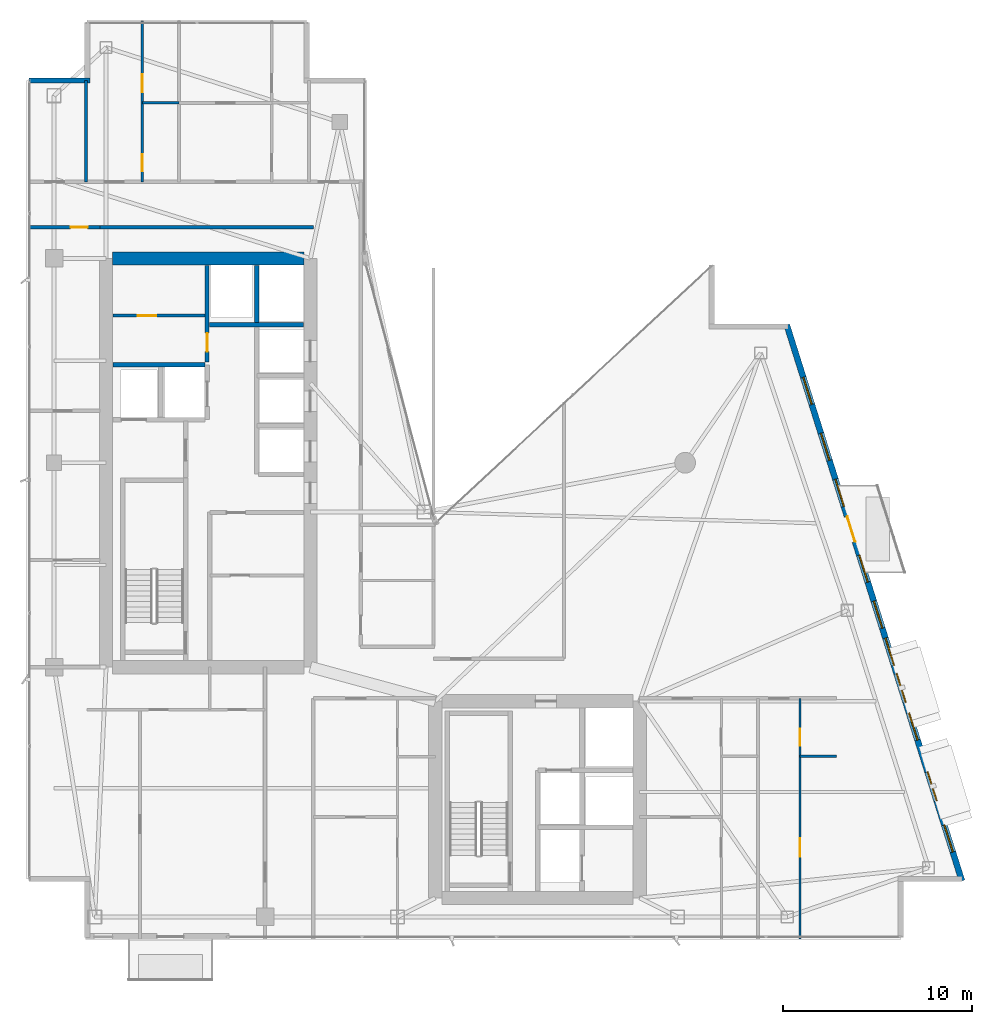
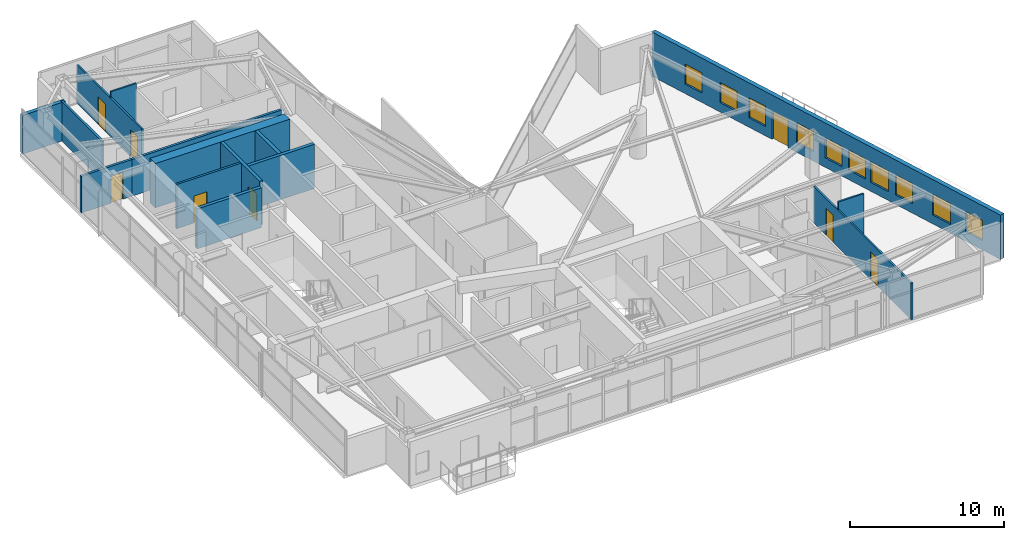
# One storey, part 24 of 27: 15 walls, 10 windows, 8 doors, 18 openings.
"""IFC4 building model written with IfcOpenShell, lengths in metres."""

from ifc_helpers import new_model, si_unit, direction, frame, frame_2d, origin, place, context, subcontext, project, spatial, rectangle, extrude, material, layer, layer_set, type_object, element, fill, save


model = new_model("IFC4")

# Units and contexts
model_context = context("Model", 3, precision=1e-05, world=origin(), true_north=direction((0.0, 1.0)))
body_context = subcontext(model_context, "Body", "Model", "MODEL_VIEW")
ifc_project = project(units=[si_unit("LENGTHUNIT", "METRE"), si_unit("AREAUNIT", "SQUARE_METRE"), si_unit("VOLUMEUNIT", "CUBIC_METRE"), si_unit("PLANEANGLEUNIT", "RADIAN"), si_unit("MASSUNIT", "GRAM", prefix="KILO")], contexts=[model_context])

# Site, building, storey
site_placement = place(None, origin())
site = spatial("IfcSite", under=ifc_project, at=site_placement, CompositionType="ELEMENT")
building_placement = place(site_placement, origin())
building = spatial("IfcBuilding", under=site, at=building_placement, Name="Calvorn Quay Hotel", CompositionType="ELEMENT")
storey_placement = place(building_placement, frame((0.0, 0.0, 230.699951171875)))
storey = spatial("IfcBuildingStorey", under=building, at=storey_placement, Name="L57", CompositionType="ELEMENT", Elevation=230.699951171875)

# Wall
ifc_material_1 = material(Name="Concrete C45", Category="concrete")
ifc_layer_1 = layer(ifc_material_1, 0.699951171875)
ifc_layer_set_1 = layer_set([ifc_layer_1], Name="WL-CORE-700")
wall_type_1 = type_object("IfcWallType", Name="WL-CORE-700", PredefinedType="SHEAR", material=ifc_layer_set_1)
wall_1_placement = place(storey_placement, frame((4.550048828125, 38.39990234375, 0.0), z_axis=(0.0, 0.0, 1.0), x_axis=(1.0, 0.0, 0.0)))
element("IfcWall", 1, at=wall_1_placement, inside=storey, type_object=wall_type_1, Name="West Core Shear Wall N (L57)", PredefinedType="SHEAR", context=body_context, shape_type="SweptSolid", body=[
    extrude(rectangle(XDim=10.099853515625, YDim=0.699951171875, at=frame_2d((5.0498046875, 0.0))), origin(), (0.0, 0.0, 1.0), 3.52001953125),
])

# Wall, opening, door
ifc_material_2 = material(Name="Acoustic Fireboard Steel-Stud Partition", Category="steel")
ifc_layer_2 = layer(ifc_material_2, 0.179931640625)
ifc_layer_set_2 = layer_set([ifc_layer_2], Name="WL-CORR-FIRE-180")
wall_type_2 = type_object("IfcWallType", Name="WL-CORR-FIRE-180", PredefinedType="PARTITIONING", material=ifc_layer_set_2)
wall_2_placement = place(storey_placement, frame((0.080078125, 40.050048828125, 0.0), z_axis=(0.0, 0.0, 1.0), x_axis=(1.0, 0.0, 0.0)))
wall_2 = element("IfcWall", 2, at=wall_2_placement, inside=storey, type_object=wall_type_2, Name="Partition Wall L57-WL-WBAY-N-DOOR", PredefinedType="PARTITIONING", context=body_context, shape_type="SweptSolid", body=[
    extrude(rectangle(XDim=3.7998046875, YDim=0.179931640625, at=frame_2d((1.89990234375, 0.0))), origin(), (0.0, 0.0, 1.0), 2.920166015625),
])
opening_1_placement = place(wall_2_placement, frame((2.25, 0.0, 0.0)))
opening_1 = element("IfcOpeningElement", 3, at=opening_1_placement, cuts=wall_2, Name="Opening D-L57-WBN", PredefinedType="OPENING", context=body_context, shape_type="SweptSolid", body=[
    extrude(rectangle(XDim=0.89990234375, YDim=2.14990234375, at=frame_2d((0.449951171875, 1.074951171875))), frame((0.0, 0.099853515625, 0.0), z_axis=(0.0, -1.0, 0.0), x_axis=(1.0, 0.0, 0.0)), (0.0, 0.0, 1.0), 0.199951171875),
])
ifc_material_3 = material(Name="Moisture-Sealed Timber En-Suite Door", Category="wood")
door_type_1 = type_object("IfcDoorType", Name="DR-ENSUITE-900", OperationType="NOTDEFINED", PredefinedType="DOOR", material=ifc_material_3)
door_1_placement = place(opening_1_placement, origin())
door_1 = element("IfcDoor", 4, at=door_1_placement, inside=storey, type_object=door_type_1, Name="West North Bay Door (L57)", OperationType="SINGLE_SWING_LEFT", OverallHeight=2.14990234375, OverallWidth=0.89990234375, PredefinedType="DOOR", context=body_context, shape_type="SweptSolid", body=[
    extrude(rectangle(XDim=0.89990234375, YDim=2.14990234375, at=frame_2d((0.449951171875, 1.074951171875))), frame((0.0, 0.02490234375, 0.0), z_axis=(0.0, -1.0, 0.0), x_axis=(1.0, 0.0, 0.0)), (0.0, 0.0, 1.0), 0.050048828125),
])
fill(opening_1, door_1)

# Walls
wall_3_placement = place(storey_placement, frame((3.830078125, 40.050048828125, 0.0), z_axis=(0.0, 0.0, 1.0), x_axis=(1.0, 0.0, 0.0)))
element("IfcWall", 5, at=wall_3_placement, inside=storey, type_object=wall_type_2, Name="Partition Wall L57-WL-W-SPUR-S", PredefinedType="PARTITIONING", context=body_context, shape_type="SweptSolid", body=[
    extrude(rectangle(XDim=11.31982421875, YDim=0.179931640625, at=frame_2d((5.659912109375, 0.0))), origin(), (0.0, 0.0, 1.0), 2.920166015625),
])
ifc_material_4 = material(Name="Moisture-Resistant Tile-Backed Partition")
ifc_layer_3 = layer(ifc_material_4, 0.125)
ifc_layer_set_3 = layer_set([ifc_layer_3], Name="WL-ENSUITE-125")
wall_type_3 = type_object("IfcWallType", Name="WL-ENSUITE-125", PredefinedType="PARTITIONING", material=ifc_layer_set_3)
wall_4_placement = place(storey_placement, frame((6.1201171875, 46.6201171875, 0.0), z_axis=(0.0, 0.0, 1.0), x_axis=(1.0, 0.0, 0.0)))
element("IfcWall", 6, at=wall_4_placement, inside=storey, type_object=wall_type_3, Name="Partition Wall L57-WL-U03-BDV", PredefinedType="PARTITIONING", context=body_context, shape_type="SweptSolid", body=[
    extrude(rectangle(XDim=1.929931640625, YDim=0.125, at=frame_2d((0.96484375, 0.0))), origin(), (0.0, 0.0, 1.0), 3.52001953125),
])

# Wall, openings, doors
wall_5_placement = place(storey_placement, frame((6.1201171875, 42.449951171875, 0.0), z_axis=(0.0, 0.0, 1.0), x_axis=(0.0, 1.0, 0.0)))
wall_5 = element("IfcWall", 7, at=wall_5_placement, inside=storey, type_object=wall_type_3, Name="Partition Wall L57-WL-U03-BV", PredefinedType="PARTITIONING", context=body_context, shape_type="SweptSolid", body=[
    extrude(rectangle(XDim=8.489990234375, YDim=0.125, at=frame_2d((4.2451171875, 0.0))), origin(), (0.0, 0.0, 1.0), 3.070068359375),
])
opening_2_placement = place(wall_5_placement, frame((0.550048828125, 0.0, 0.0)))
opening_2 = element("IfcOpeningElement", 8, at=opening_2_placement, cuts=wall_5, Name="Opening D-L57-E03", PredefinedType="OPENING", context=body_context, shape_type="SweptSolid", body=[
    extrude(rectangle(XDim=0.89990234375, YDim=2.14990234375, at=frame_2d((0.449951171875, 1.074951171875))), frame((0.0, 0.072509765625, 0.0), z_axis=(0.0, -1.0, 0.0), x_axis=(1.0, 0.0, 0.0)), (0.0, 0.0, 1.0), 0.14501953125),
])
opening_3_placement = place(wall_5_placement, frame((4.719970703125, 0.0, 0.0)))
opening_3 = element("IfcOpeningElement", 9, at=opening_3_placement, cuts=wall_5, Name="Opening D-L57-S03", PredefinedType="OPENING", context=body_context, shape_type="SweptSolid", body=[
    extrude(rectangle(XDim=0.9599609375, YDim=2.199951171875, at=frame_2d((0.47998046875, 1.10009765625))), frame((0.0, 0.072509765625, 0.0), z_axis=(0.0, -1.0, 0.0), x_axis=(1.0, 0.0, 0.0)), (0.0, 0.0, 1.0), 0.14501953125),
])
door_2_placement = place(opening_2_placement, origin())
door_2 = element("IfcDoor", 10, at=door_2_placement, inside=storey, type_object=door_type_1, Name="En-Suite Door 03", OperationType="SINGLE_SWING_LEFT", OverallHeight=2.14990234375, OverallWidth=0.89990234375, PredefinedType="DOOR", context=body_context, shape_type="SweptSolid", body=[
    extrude(rectangle(XDim=0.89990234375, YDim=2.14990234375, at=frame_2d((0.449951171875, 1.074951171875))), frame((0.0, 0.02490234375, 0.0), z_axis=(0.0, -1.0, 0.0), x_axis=(1.0, 0.0, 0.0)), (0.0, 0.0, 1.0), 0.050048828125),
])
fill(opening_2, door_2)
ifc_material_5 = material(Name="Solid Timber Internal Suite Door", Category="wood")
door_type_2 = type_object("IfcDoorType", Name="DR-SUITE-INT-960", OperationType="NOTDEFINED", PredefinedType="DOOR", material=ifc_material_5)
door_3_placement = place(opening_3_placement, origin())
door_3 = element("IfcDoor", 11, at=door_3_placement, inside=storey, type_object=door_type_2, Name="Spa Therapy Room Door 03", OperationType="SINGLE_SWING_RIGHT", OverallHeight=2.199951171875, OverallWidth=0.9599609375, PredefinedType="DOOR", context=body_context, shape_type="SweptSolid", body=[
    extrude(rectangle(XDim=0.9599609375, YDim=2.199951171875, at=frame_2d((0.47998046875, 1.10009765625))), frame((0.0, 0.02490234375, 0.0), z_axis=(0.0, -1.0, 0.0), x_axis=(1.0, 0.0, 0.0)), (0.0, 0.0, 1.0), 0.050048828125),
])
fill(opening_3, door_3)

# Wall
wall_6_placement = place(storey_placement, frame((40.8701171875, 12.10009765625, 0.0), z_axis=(0.0, 0.0, 1.0), x_axis=(1.0, 0.0, 0.0)))
element("IfcWall", 12, at=wall_6_placement, inside=storey, type_object=wall_type_3, Name="Partition Wall L57-WL-U06-BDV", PredefinedType="PARTITIONING", context=body_context, shape_type="SweptSolid", body=[
    extrude(rectangle(XDim=1.929931640625, YDim=0.125, at=frame_2d((0.96484375, 0.0))), origin(), (0.0, 0.0, 1.0), 3.52001953125),
])

# Wall, openings, doors
wall_7_placement = place(storey_placement, frame((40.8701171875, 2.43994140625, 0.0), z_axis=(0.0, 0.0, 1.0), x_axis=(0.0, 1.0, 0.0)))
wall_7 = element("IfcWall", 13, at=wall_7_placement, inside=storey, type_object=wall_type_3, Name="Partition Wall L57-WL-U06-BV", PredefinedType="PARTITIONING", context=body_context, shape_type="SweptSolid", body=[
    extrude(rectangle(XDim=12.7099609375, YDim=0.125, at=frame_2d((6.35498046875, 0.0))), origin(), (0.0, 0.0, 1.0), 2.920166015625),
])
opening_4_placement = place(wall_7_placement, frame((4.35009765625, 0.0, 0.0)))
opening_4 = element("IfcOpeningElement", 14, at=opening_4_placement, cuts=wall_7, Name="Opening D-L57-S06", PredefinedType="OPENING", context=body_context, shape_type="SweptSolid", body=[
    extrude(rectangle(XDim=0.9599609375, YDim=2.199951171875, at=frame_2d((0.47998046875, 1.10009765625))), frame((0.0, 0.072509765625, 0.0), z_axis=(0.0, -1.0, 0.0), x_axis=(1.0, 0.0, 0.0)), (0.0, 0.0, 1.0), 0.14501953125),
])
opening_5_placement = place(wall_7_placement, frame((10.2099609375, 0.0, 0.0)))
opening_5 = element("IfcOpeningElement", 15, at=opening_5_placement, cuts=wall_7, Name="Opening D-L57-E06", PredefinedType="OPENING", context=body_context, shape_type="SweptSolid", body=[
    extrude(rectangle(XDim=0.89990234375, YDim=2.14990234375, at=frame_2d((0.449951171875, 1.074951171875))), frame((0.0, 0.072509765625, 0.0), z_axis=(0.0, -1.0, 0.0), x_axis=(1.0, 0.0, 0.0)), (0.0, 0.0, 1.0), 0.14501953125),
])
door_4_placement = place(opening_5_placement, origin())
door_4 = element("IfcDoor", 16, at=door_4_placement, inside=storey, type_object=door_type_1, Name="En-Suite Door 06", OperationType="SINGLE_SWING_RIGHT", OverallHeight=2.14990234375, OverallWidth=0.89990234375, PredefinedType="DOOR", context=body_context, shape_type="SweptSolid", body=[
    extrude(rectangle(XDim=0.89990234375, YDim=2.14990234375, at=frame_2d((0.449951171875, 1.074951171875))), frame((0.0, 0.02490234375, 0.0), z_axis=(0.0, -1.0, 0.0), x_axis=(1.0, 0.0, 0.0)), (0.0, 0.0, 1.0), 0.050048828125),
])
fill(opening_5, door_4)
door_5_placement = place(opening_4_placement, origin())
door_5 = element("IfcDoor", 17, at=door_5_placement, inside=storey, type_object=door_type_2, Name="Spa Therapy Room Door 06", OperationType="SINGLE_SWING_LEFT", OverallHeight=2.199951171875, OverallWidth=0.9599609375, PredefinedType="DOOR", context=body_context, shape_type="SweptSolid", body=[
    extrude(rectangle(XDim=0.9599609375, YDim=2.199951171875, at=frame_2d((0.47998046875, 1.10009765625))), frame((0.0, 0.02490234375, 0.0), z_axis=(0.0, -1.0, 0.0), x_axis=(1.0, 0.0, 0.0)), (0.0, 0.0, 1.0), 0.050048828125),
])
fill(opening_4, door_5)

# Wall
ifc_material_6 = material(Name="Concrete C40", Category="concrete")
ifc_layer_4 = layer(ifc_material_6, 0.320068359375)
ifc_layer_set_4 = layer_set([ifc_layer_4], Name="WL-EXT-SPANDREL-320")
wall_type_4 = type_object("IfcWallType", Name="WL-EXT-SPANDREL-320", PredefinedType="SOLIDWALL", material=ifc_layer_set_4)
wall_8_placement = place(storey_placement, frame((3.340087890625, 47.800048828125, 0.0), z_axis=(0.0, 0.0, 1.0), x_axis=(-1.0, 0.0, 0.0)))
element("IfcWall", 18, at=wall_8_placement, inside=storey, type_object=wall_type_4, Name="Notched Corner Spandrel L57-NW2", PredefinedType="SOLIDWALL", context=body_context, shape_type="SweptSolid", body=[
    extrude(rectangle(XDim=3.219970703125, YDim=0.280029296875, at=frame_2d((1.60986328125, 0.0))), origin(), (0.0, 0.0, 1.0), 3.070068359375),
])

# Wall, openings, door, windows
wall_9_placement = place(storey_placement, frame((49.429931640625, 5.5048828125, 0.0), z_axis=(0.0, 0.0, 1.0), x_axis=(-0.300509063924, 0.953778958931, 0.0)))
wall_9 = element("IfcWall", 19, at=wall_9_placement, inside=storey, type_object=wall_type_4, Name="East Stepped Waterfront Exterior Wall (L57)", PredefinedType="SOLIDWALL", context=body_context, shape_type="SweptSolid", body=[
    extrude(rectangle(XDim=30.814453125, YDim=0.320068359375, at=frame_2d((15.4072265625, 0.0))), origin(), (0.0, 0.0, 1.0), 3.52001953125),
])
opening_6_placement = place(wall_9_placement, frame((18.7958984375, 0.0, 0.0)))
opening_6 = element("IfcOpeningElement", 20, at=opening_6_placement, cuts=wall_9, Name="Opening DB-L57-1", PredefinedType="OPENING", context=body_context, shape_type="SweptSolid", body=[
    extrude(rectangle(XDim=1.39990234375, YDim=2.25, at=frame_2d((0.699951171875, 1.125))), frame((0.0, 0.169921875, 0.0), z_axis=(0.0, -1.0, 0.0), x_axis=(1.0, 0.0, 0.0)), (0.0, 0.0, 1.0), 0.340087890625),
])
opening_7_placement = place(wall_9_placement, frame((4.43701171875, 0.0, 0.699951171875)))
opening_7 = element("IfcOpeningElement", 21, at=opening_7_placement, cuts=wall_9, Name="Opening WHD-L57-1", PredefinedType="OPENING", context=body_context, shape_type="SweptSolid", body=[
    extrude(rectangle(XDim=1.60009765625, YDim=1.64990234375, at=frame_2d((0.800048828125, 0.824951171875))), frame((0.0, 0.169921875, 0.0), z_axis=(0.0, -1.0, 0.0), x_axis=(1.0, 0.0, 0.0)), (0.0, 0.0, 1.0), 0.340087890625),
])
opening_8_placement = place(wall_9_placement, frame((9.888916015625, 0.0, 0.699951171875)))
opening_8 = element("IfcOpeningElement", 22, at=opening_8_placement, cuts=wall_9, Name="Opening WHD-L57-2", PredefinedType="OPENING", context=body_context, shape_type="SweptSolid", body=[
    extrude(rectangle(XDim=1.60009765625, YDim=1.64990234375, at=frame_2d((0.800048828125, 0.824951171875))), frame((0.0, 0.169921875, 0.0), z_axis=(0.0, -1.0, 0.0), x_axis=(1.0, 0.0, 0.0)), (0.0, 0.0, 1.0), 0.340087890625),
])
opening_9_placement = place(wall_9_placement, frame((1.60009765625, 0.0, 0.75)))
opening_9 = element("IfcOpeningElement", 23, at=opening_9_placement, cuts=wall_9, Name="Opening WG-L57-E1", PredefinedType="OPENING", context=body_context, shape_type="SweptSolid", body=[
    extrude(rectangle(XDim=1.5, YDim=1.60009765625, at=frame_2d((0.75, 0.800048828125))), frame((0.0, 0.169921875, 0.0), z_axis=(0.0, -1.0, 0.0), x_axis=(1.0, 0.0, 0.0)), (0.0, 0.0, 1.0), 0.340087890625),
])
opening_10_placement = place(wall_9_placement, frame((7.800048828125, 0.0, 0.75)))
opening_10 = element("IfcOpeningElement", 24, at=opening_10_placement, cuts=wall_9, Name="Opening WG-L57-E2", PredefinedType="OPENING", context=body_context, shape_type="SweptSolid", body=[
    extrude(rectangle(XDim=1.5, YDim=1.60009765625, at=frame_2d((0.75, 0.800048828125))), frame((0.0, 0.169921875, 0.0), z_axis=(0.0, -1.0, 0.0), x_axis=(1.0, 0.0, 0.0)), (0.0, 0.0, 1.0), 0.340087890625),
])
opening_11_placement = place(wall_9_placement, frame((11.949951171875, 0.0, 0.75)))
opening_11 = element("IfcOpeningElement", 25, at=opening_11_placement, cuts=wall_9, Name="Opening WG-L57-E3", PredefinedType="OPENING", context=body_context, shape_type="SweptSolid", body=[
    extrude(rectangle(XDim=1.5, YDim=1.60009765625, at=frame_2d((0.75, 0.800048828125))), frame((0.0, 0.169921875, 0.0), z_axis=(0.0, -1.0, 0.0), x_axis=(1.0, 0.0, 0.0)), (0.0, 0.0, 1.0), 0.340087890625),
])
opening_12_placement = place(wall_9_placement, frame((14.0, 0.0, 0.75)))
opening_12 = element("IfcOpeningElement", 26, at=opening_12_placement, cuts=wall_9, Name="Opening WG-L57-E4", PredefinedType="OPENING", context=body_context, shape_type="SweptSolid", body=[
    extrude(rectangle(XDim=1.5, YDim=1.60009765625, at=frame_2d((0.75, 0.800048828125))), frame((0.0, 0.169921875, 0.0), z_axis=(0.0, -1.0, 0.0), x_axis=(1.0, 0.0, 0.0)), (0.0, 0.0, 1.0), 0.340087890625),
])
opening_13_placement = place(wall_9_placement, frame((16.550048828125, 0.0, 0.75)))
opening_13 = element("IfcOpeningElement", 27, at=opening_13_placement, cuts=wall_9, Name="Opening WG-L57-E5", PredefinedType="OPENING", context=body_context, shape_type="SweptSolid", body=[
    extrude(rectangle(XDim=1.5, YDim=1.60009765625, at=frame_2d((0.75, 0.800048828125))), frame((0.0, 0.169921875, 0.0), z_axis=(0.0, -1.0, 0.0), x_axis=(1.0, 0.0, 0.0)), (0.0, 0.0, 1.0), 0.340087890625),
])
opening_14_placement = place(wall_9_placement, frame((20.75, 0.0, 0.75)))
opening_14 = element("IfcOpeningElement", 28, at=opening_14_placement, cuts=wall_9, Name="Opening WG-L57-E6", PredefinedType="OPENING", context=body_context, shape_type="SweptSolid", body=[
    extrude(rectangle(XDim=1.5, YDim=1.60009765625, at=frame_2d((0.75, 0.800048828125))), frame((0.0, 0.169921875, 0.0), z_axis=(0.0, -1.0, 0.0), x_axis=(1.0, 0.0, 0.0)), (0.0, 0.0, 1.0), 0.340087890625),
])
opening_15_placement = place(wall_9_placement, frame((23.300048828125, 0.0, 0.75)))
opening_15 = element("IfcOpeningElement", 29, at=opening_15_placement, cuts=wall_9, Name="Opening WG-L57-E7", PredefinedType="OPENING", context=body_context, shape_type="SweptSolid", body=[
    extrude(rectangle(XDim=1.5, YDim=1.60009765625, at=frame_2d((0.75, 0.800048828125))), frame((0.0, 0.169921875, 0.0), z_axis=(0.0, -1.0, 0.0), x_axis=(1.0, 0.0, 0.0)), (0.0, 0.0, 1.0), 0.340087890625),
])
opening_16_placement = place(wall_9_placement, frame((26.39990234375, 0.0, 0.75)))
opening_16 = element("IfcOpeningElement", 30, at=opening_16_placement, cuts=wall_9, Name="Opening WG-L57-E8", PredefinedType="OPENING", context=body_context, shape_type="SweptSolid", body=[
    extrude(rectangle(XDim=1.5, YDim=1.60009765625, at=frame_2d((0.75, 0.800048828125))), frame((0.0, 0.169921875, 0.0), z_axis=(0.0, -1.0, 0.0), x_axis=(1.0, 0.0, 0.0)), (0.0, 0.0, 1.0), 0.340087890625),
])
ifc_material_7 = material(Name="Typhoon-Rated Low-E Aluminium Terrace Door", Category="aluminium")
door_type_3 = type_object("IfcDoorType", Name="DR-BALCONY-GLZ-1400", OperationType="NOTDEFINED", PredefinedType="DOOR", material=ifc_material_7)
door_6_placement = place(opening_6_placement, origin())
door_6 = element("IfcDoor", 31, at=door_6_placement, inside=storey, type_object=door_type_3, Name="Tree Balcony Terrace Door L57-BALC-E", OperationType="SINGLE_SWING_LEFT", OverallHeight=2.25, OverallWidth=1.39990234375, PredefinedType="DOOR", context=body_context, shape_type="SweptSolid", body=[
    extrude(rectangle(XDim=1.39990234375, YDim=2.25, at=frame_2d((0.699951171875, 1.125))), frame((0.0, 0.02490234375, 0.0), z_axis=(0.0, -1.0, 0.0), x_axis=(1.0, 0.0, 0.0)), (0.0, 0.0, 1.0), 0.050048828125),
])
fill(opening_6, door_6)
ifc_material_8 = material(Name="Champagne-Bronze Aluminium Low-E Window", Category="aluminium")
window_type_1 = type_object("IfcWindowType", Name="WIN-GUEST-SIDE-1600x2100", PartitioningType="SINGLE_PANEL", PredefinedType="WINDOW", material=ifc_material_8)
window_1_placement = place(opening_7_placement, origin())
window_1 = element("IfcWindow", 32, at=window_1_placement, inside=storey, type_object=window_type_1, Name="Bay Hood Window L57-HOOD-1", OverallHeight=1.64990234375, OverallWidth=1.60009765625, PartitioningType="SINGLE_PANEL", PredefinedType="WINDOW", context=body_context, shape_type="SweptSolid", body=[
    extrude(rectangle(XDim=1.60009765625, YDim=1.64990234375, at=frame_2d((0.800048828125, 0.824951171875))), frame((0.0, 0.030029296875, 0.0), z_axis=(0.0, -1.0, 0.0), x_axis=(1.0, 0.0, 0.0)), (0.0, 0.0, 1.0), 0.06005859375),
])
fill(opening_7, window_1)
window_2_placement = place(opening_8_placement, origin())
window_2 = element("IfcWindow", 33, at=window_2_placement, inside=storey, type_object=window_type_1, Name="Bay Hood Window L57-HOOD-2", OverallHeight=1.64990234375, OverallWidth=1.60009765625, PartitioningType="SINGLE_PANEL", PredefinedType="WINDOW", context=body_context, shape_type="SweptSolid", body=[
    extrude(rectangle(XDim=1.60009765625, YDim=1.64990234375, at=frame_2d((0.800048828125, 0.824951171875))), frame((0.0, 0.030029296875, 0.0), z_axis=(0.0, -1.0, 0.0), x_axis=(1.0, 0.0, 0.0)), (0.0, 0.0, 1.0), 0.06005859375),
])
fill(opening_8, window_2)
ifc_material_9 = material(Name="Self-Closing Class B Fire Window")
window_type_2 = type_object("IfcWindowType", Name="WIN-REFUGE-1500x1600", PartitioningType="SINGLE_PANEL", PredefinedType="WINDOW", material=ifc_material_9)
window_3_placement = place(opening_9_placement, origin())
window_3 = element("IfcWindow", 34, at=window_3_placement, inside=storey, type_object=window_type_2, Name="East Facade Window L57-E1", OverallHeight=1.60009765625, OverallWidth=1.5, PartitioningType="SINGLE_PANEL", PredefinedType="WINDOW", context=body_context, shape_type="SweptSolid", body=[
    extrude(rectangle(XDim=1.5, YDim=1.60009765625, at=frame_2d((0.75, 0.800048828125))), frame((0.0, 0.030029296875, 0.0), z_axis=(0.0, -1.0, 0.0), x_axis=(1.0, 0.0, 0.0)), (0.0, 0.0, 1.0), 0.06005859375),
])
fill(opening_9, window_3)
window_4_placement = place(opening_10_placement, origin())
window_4 = element("IfcWindow", 35, at=window_4_placement, inside=storey, type_object=window_type_2, Name="East Facade Window L57-E2", OverallHeight=1.60009765625, OverallWidth=1.5, PartitioningType="SINGLE_PANEL", PredefinedType="WINDOW", context=body_context, shape_type="SweptSolid", body=[
    extrude(rectangle(XDim=1.5, YDim=1.60009765625, at=frame_2d((0.75, 0.800048828125))), frame((0.0, 0.030029296875, 0.0), z_axis=(0.0, -1.0, 0.0), x_axis=(1.0, 0.0, 0.0)), (0.0, 0.0, 1.0), 0.06005859375),
])
fill(opening_10, window_4)
window_5_placement = place(opening_11_placement, origin())
window_5 = element("IfcWindow", 36, at=window_5_placement, inside=storey, type_object=window_type_2, Name="East Facade Window L57-E3", OverallHeight=1.60009765625, OverallWidth=1.5, PartitioningType="SINGLE_PANEL", PredefinedType="WINDOW", context=body_context, shape_type="SweptSolid", body=[
    extrude(rectangle(XDim=1.5, YDim=1.60009765625, at=frame_2d((0.75, 0.800048828125))), frame((0.0, 0.030029296875, 0.0), z_axis=(0.0, -1.0, 0.0), x_axis=(1.0, 0.0, 0.0)), (0.0, 0.0, 1.0), 0.06005859375),
])
fill(opening_11, window_5)
window_6_placement = place(opening_12_placement, origin())
window_6 = element("IfcWindow", 37, at=window_6_placement, inside=storey, type_object=window_type_2, Name="East Facade Window L57-E4", OverallHeight=1.60009765625, OverallWidth=1.5, PartitioningType="SINGLE_PANEL", PredefinedType="WINDOW", context=body_context, shape_type="SweptSolid", body=[
    extrude(rectangle(XDim=1.5, YDim=1.60009765625, at=frame_2d((0.75, 0.800048828125))), frame((0.0, 0.030029296875, 0.0), z_axis=(0.0, -1.0, 0.0), x_axis=(1.0, 0.0, 0.0)), (0.0, 0.0, 1.0), 0.06005859375),
])
fill(opening_12, window_6)
window_7_placement = place(opening_13_placement, origin())
window_7 = element("IfcWindow", 38, at=window_7_placement, inside=storey, type_object=window_type_2, Name="East Facade Window L57-E5", OverallHeight=1.60009765625, OverallWidth=1.5, PartitioningType="SINGLE_PANEL", PredefinedType="WINDOW", context=body_context, shape_type="SweptSolid", body=[
    extrude(rectangle(XDim=1.5, YDim=1.60009765625, at=frame_2d((0.75, 0.800048828125))), frame((0.0, 0.030029296875, 0.0), z_axis=(0.0, -1.0, 0.0), x_axis=(1.0, 0.0, 0.0)), (0.0, 0.0, 1.0), 0.06005859375),
])
fill(opening_13, window_7)
window_8_placement = place(opening_14_placement, origin())
window_8 = element("IfcWindow", 39, at=window_8_placement, inside=storey, type_object=window_type_2, Name="East Facade Window L57-E6", OverallHeight=1.60009765625, OverallWidth=1.5, PartitioningType="SINGLE_PANEL", PredefinedType="WINDOW", context=body_context, shape_type="SweptSolid", body=[
    extrude(rectangle(XDim=1.5, YDim=1.60009765625, at=frame_2d((0.75, 0.800048828125))), frame((0.0, 0.030029296875, 0.0), z_axis=(0.0, -1.0, 0.0), x_axis=(1.0, 0.0, 0.0)), (0.0, 0.0, 1.0), 0.06005859375),
])
fill(opening_14, window_8)
window_9_placement = place(opening_15_placement, origin())
window_9 = element("IfcWindow", 40, at=window_9_placement, inside=storey, type_object=window_type_2, Name="East Facade Window L57-E7", OverallHeight=1.60009765625, OverallWidth=1.5, PartitioningType="SINGLE_PANEL", PredefinedType="WINDOW", context=body_context, shape_type="SweptSolid", body=[
    extrude(rectangle(XDim=1.5, YDim=1.60009765625, at=frame_2d((0.75, 0.800048828125))), frame((0.0, 0.030029296875, 0.0), z_axis=(0.0, -1.0, 0.0), x_axis=(1.0, 0.0, 0.0)), (0.0, 0.0, 1.0), 0.06005859375),
])
fill(opening_15, window_9)
window_10_placement = place(opening_16_placement, origin())
window_10 = element("IfcWindow", 41, at=window_10_placement, inside=storey, type_object=window_type_2, Name="East Facade Window L57-E8", OverallHeight=1.60009765625, OverallWidth=1.5, PartitioningType="SINGLE_PANEL", PredefinedType="WINDOW", context=body_context, shape_type="SweptSolid", body=[
    extrude(rectangle(XDim=1.5, YDim=1.60009765625, at=frame_2d((0.75, 0.800048828125))), frame((0.0, 0.030029296875, 0.0), z_axis=(0.0, -1.0, 0.0), x_axis=(1.0, 0.0, 0.0)), (0.0, 0.0, 1.0), 0.06005859375),
])
fill(opening_16, window_10)

# Wall, opening, door
ifc_material_10 = material(Name="Double-Stud Acoustic Gypsum Partition")
ifc_layer_5 = layer(ifc_material_10, 0.159912109375)
ifc_layer_set_5 = layer_set([ifc_layer_5], Name="WL-INTERSUITE-160")
wall_type_5 = type_object("IfcWallType", Name="WL-INTERSUITE-160", PredefinedType="PARTITIONING", material=ifc_layer_set_5)
wall_10_placement = place(storey_placement, frame((4.570068359375, 35.3798828125, 0.0), z_axis=(0.0, 0.0, 1.0), x_axis=(1.0, 0.0, 0.0)))
wall_10 = element("IfcWall", 42, at=wall_10_placement, inside=storey, type_object=wall_type_5, Name="Partition Wall L57-WL-CWW-K-MID", PredefinedType="PARTITIONING", context=body_context, shape_type="SweptSolid", body=[
    extrude(rectangle(XDim=4.849853515625, YDim=0.159912109375, at=frame_2d((2.4248046875, 0.0))), origin(), (0.0, 0.0, 1.0), 3.52001953125),
])
opening_17_placement = place(wall_10_placement, frame((1.300048828125, 0.0, 0.0)))
opening_17 = element("IfcOpeningElement", 43, at=opening_17_placement, cuts=wall_10, Name="Opening D-L57-CK2", PredefinedType="OPENING", context=body_context, shape_type="SweptSolid", body=[
    extrude(rectangle(XDim=0.97998046875, YDim=2.14990234375, at=frame_2d((0.489990234375, 1.074951171875))), frame((0.0, 0.08984375, 0.0), z_axis=(0.0, -1.0, 0.0), x_axis=(1.0, 0.0, 0.0)), (0.0, 0.0, 1.0), 0.179931640625),
])
ifc_material_11 = material(Name="Painted Steel Housekeeping/Riser Fire Door", Category="steel")
door_type_4 = type_object("IfcDoorType", Name="DR-SERVICE-980", OperationType="NOTDEFINED", PredefinedType="DOOR", material=ifc_material_11)
door_7_placement = place(opening_17_placement, origin())
door_7 = element("IfcDoor", 44, at=door_7_placement, inside=storey, type_object=door_type_4, Name="Electrical Riser Door (L57)", OperationType="SINGLE_SWING_RIGHT", OverallHeight=2.14990234375, OverallWidth=0.97998046875, PredefinedType="DOOR", context=body_context, shape_type="SweptSolid", body=[
    extrude(rectangle(XDim=0.97998046875, YDim=2.14990234375, at=frame_2d((0.489990234375, 1.074951171875))), frame((0.0, 0.02490234375, 0.0), z_axis=(0.0, -1.0, 0.0), x_axis=(1.0, 0.0, 0.0)), (0.0, 0.0, 1.0), 0.050048828125),
])
fill(opening_17, door_7)

# Wall
wall_11_placement = place(storey_placement, frame((3.14990234375, 42.449951171875, 0.0), z_axis=(0.0, 0.0, 1.0), x_axis=(0.0, 1.0, 0.0)))
element("IfcWall", 45, at=wall_11_placement, inside=storey, type_object=wall_type_5, Name="Partition Wall L57-WL-NW-DIV-W0", PredefinedType="PARTITIONING", context=body_context, shape_type="SweptSolid", body=[
    extrude(rectangle(XDim=5.35009765625, YDim=0.159912109375, at=frame_2d((2.675048828125, 0.0))), origin(), (0.0, 0.0, 1.0), 3.1201171875),
])

# Wall, opening, door
ifc_material_12 = material(Name="Autoclaved Aerated Masonry Block", Category="masonry")
ifc_layer_6 = layer(ifc_material_12, 0.219970703125)
ifc_layer_set_6 = layer_set([ifc_layer_6], Name="WL-LOBBY-FIRE-220")
wall_type_6 = type_object("IfcWallType", Name="WL-LOBBY-FIRE-220", PredefinedType="SOLIDWALL", material=ifc_layer_set_6)
wall_12_placement = place(storey_placement, frame((9.5400390625, 32.919921875, 0.0), z_axis=(0.0, 0.0, 1.0), x_axis=(0.0, 1.0, 0.0)))
wall_12 = element("IfcWall", 46, at=wall_12_placement, inside=storey, type_object=wall_type_6, Name="Partition Wall L57-WL-CWW-K-E", PredefinedType="SOLIDWALL", context=body_context, shape_type="SweptSolid", body=[
    extrude(rectangle(XDim=5.110107421875, YDim=0.219970703125, at=frame_2d((2.55517578125, 0.0))), origin(), (0.0, 0.0, 1.0), 3.52001953125),
])
opening_18_placement = place(wall_12_placement, frame((0.550048828125, 0.0, 0.0)))
opening_18 = element("IfcOpeningElement", 47, at=opening_18_placement, cuts=wall_12, Name="Opening D-L57-CK1", PredefinedType="OPENING", context=body_context, shape_type="SweptSolid", body=[
    extrude(rectangle(XDim=0.97998046875, YDim=2.14990234375, at=frame_2d((0.489990234375, 1.074951171875))), frame((0.0, 0.119873046875, 0.0), z_axis=(0.0, -1.0, 0.0), x_axis=(1.0, 0.0, 0.0)), (0.0, 0.0, 1.0), 0.239990234375),
])
door_8_placement = place(opening_18_placement, origin())
door_8 = element("IfcDoor", 48, at=door_8_placement, inside=storey, type_object=door_type_4, Name="Core Housekeeping Door (L57)", OperationType="SINGLE_SWING_LEFT", OverallHeight=2.14990234375, OverallWidth=0.97998046875, PredefinedType="DOOR", context=body_context, shape_type="SweptSolid", body=[
    extrude(rectangle(XDim=0.97998046875, YDim=2.14990234375, at=frame_2d((0.489990234375, 1.074951171875))), frame((0.0, 0.02490234375, 0.0), z_axis=(0.0, -1.0, 0.0), x_axis=(1.0, 0.0, 0.0)), (0.0, 0.0, 1.0), 0.050048828125),
])
fill(opening_18, door_8)

# Walls
ifc_material_13 = material(Name="Concrete C40", Category="concrete")
ifc_layer_7 = layer(ifc_material_13, 0.239990234375)
ifc_layer_set_7 = layer_set([ifc_layer_7], Name="WL-SHAFT-240")
wall_type_7 = type_object("IfcWallType", Name="WL-SHAFT-240", PredefinedType="SOLIDWALL", material=ifc_layer_set_7)
wall_13_placement = place(storey_placement, frame((4.570068359375, 32.780029296875, 0.0), z_axis=(0.0, 0.0, 1.0), x_axis=(1.0, 0.0, 0.0)))
element("IfcWall", 49, at=wall_13_placement, inside=storey, type_object=wall_type_7, Name="Partition Wall L57-WL-CWW-SLW-N", PredefinedType="SOLIDWALL", context=body_context, shape_type="SweptSolid", body=[
    extrude(rectangle(XDim=4.849853515625, YDim=0.239990234375, at=frame_2d((2.4248046875, 0.0))), origin(), (0.0, 0.0, 1.0), 3.170166015625),
])
wall_14_placement = place(storey_placement, frame((9.659912109375, 34.89990234375, 0.0), z_axis=(0.0, 0.0, 1.0), x_axis=(1.0, 0.0, 0.0)))
element("IfcWall", 50, at=wall_14_placement, inside=storey, type_object=wall_type_7, Name="Partition Wall L57-WL-CWW-PLH-S", PredefinedType="SOLIDWALL", context=body_context, shape_type="SweptSolid", body=[
    extrude(rectangle(XDim=4.969970703125, YDim=0.239990234375, at=frame_2d((2.48486328125, 0.0))), origin(), (0.0, 0.0, 1.0), 3.52001953125),
])
wall_15_placement = place(storey_placement, frame((12.14990234375, 35.02001953125, 0.0), z_axis=(0.0, 0.0, 1.0), x_axis=(0.0, 1.0, 0.0)))
element("IfcWall", 51, at=wall_15_placement, inside=storey, type_object=wall_type_7, Name="Partition Wall L57-WL-CWW-PLH-DIV", PredefinedType="SOLIDWALL", context=body_context, shape_type="SweptSolid", body=[
    extrude(rectangle(XDim=3.010009765625, YDim=0.239990234375, at=frame_2d((1.5048828125, 0.0))), origin(), (0.0, 0.0, 1.0), 3.52001953125),
])

save(model, "model.ifc")
